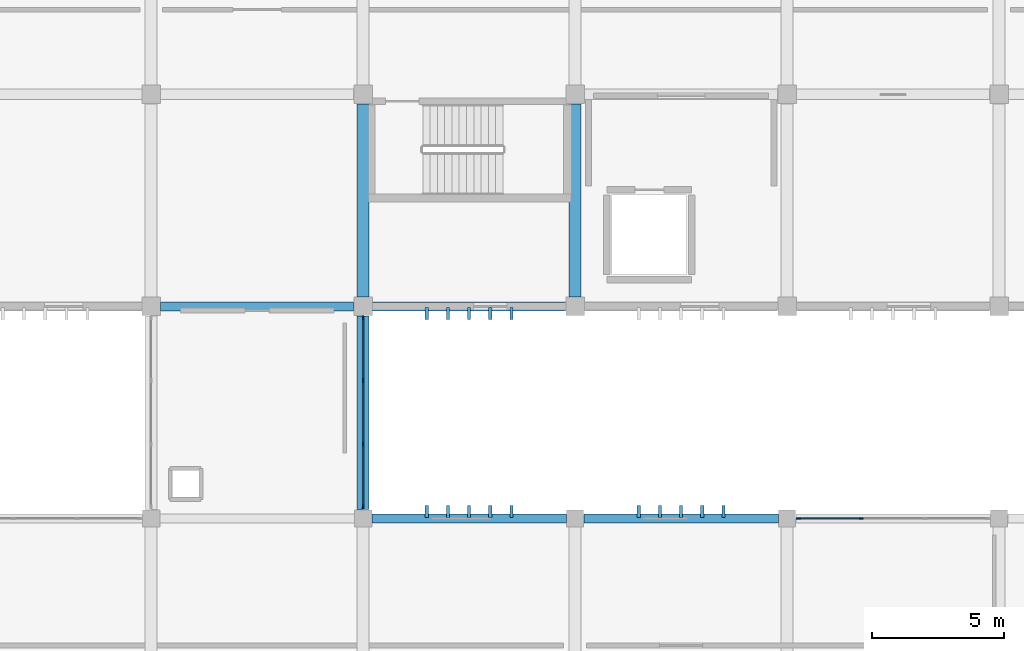
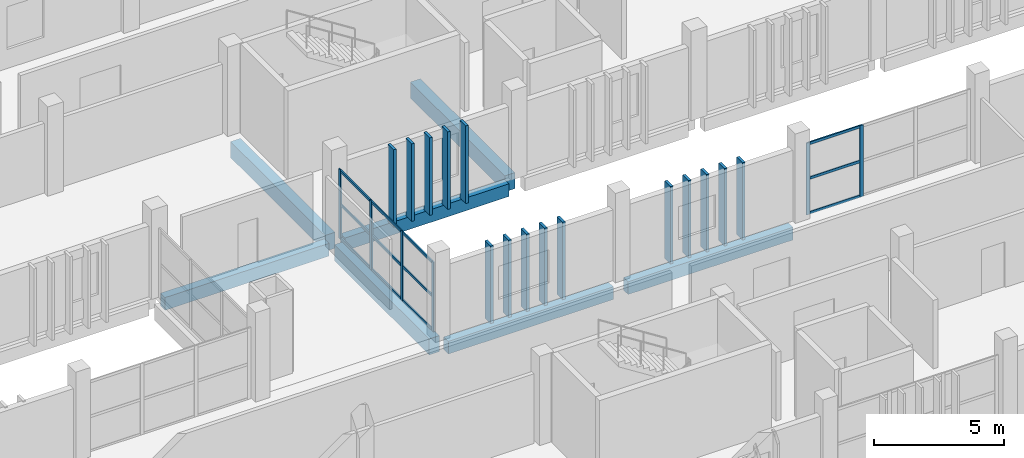
# One storey, part 27 of 137: 33 members, 7 beams, 2 elements without a shape of their own.
"""IFC4 building model written with IfcOpenShell, lengths in metres."""

from ifc_helpers import new_model, si_unit, direction, frame, origin, origin_2d, place, context, subcontext, project, spatial, rectangle, extrude, material, layer, layer_set, material_profile, profile_set, type_object, element, aggregate, save


model = new_model("IFC4")

# Units and contexts
model_context = context("Model", 3, precision=1e-05, world=origin(), true_north=direction((0.0, 1.0)))
body_context = subcontext(model_context, "Body", "Model", "MODEL_VIEW")
ifc_project = project(units=[si_unit("LENGTHUNIT", "METRE"), si_unit("AREAUNIT", "SQUARE_METRE"), si_unit("VOLUMEUNIT", "CUBIC_METRE"), si_unit("PLANEANGLEUNIT", "RADIAN"), si_unit("MASSUNIT", "GRAM", prefix="KILO")], contexts=[model_context])

# Site, building, storey
site_placement = place(None, origin())
site = spatial("IfcSite", under=ifc_project, at=site_placement, CompositionType="ELEMENT")
building_placement = place(site_placement, origin())
building = spatial("IfcBuilding", under=site, at=building_placement, Name="Jelvoka-Kovrelna Polytechnic", CompositionType="ELEMENT")
storey_placement = place(building_placement, frame((0.0, 0.0, 9.60009765625)))
storey = spatial("IfcBuildingStorey", under=building, at=storey_placement, Name="L03", CompositionType="ELEMENT", Elevation=9.60009765625)

# Beams
ifc_material_1 = material(Name="Concrete C40/50", Category="concrete")
ifc_material_profile_1 = material_profile(ifc_material_1, rectangle(XDim=0.449951171875, YDim=0.75, at=origin_2d()), Name="RC 450x750")
ifc_profile_set_1 = profile_set([ifc_material_profile_1], Name="Concrete C40/50")
beam_type_1 = type_object("IfcBeamType", Name="Beam_RC_450x750", PredefinedType="BEAM", material=ifc_profile_set_1)
for number, where, z_axis, x_axis, name in (
    (1, (80.0, 56.35498046875, -0.64013671875), (0.0, 1.0, 0.0), (-1.0, 0.0, 0.0), "L03 beam 1030"),
    (2, (88.0, 56.35498046875, -0.64013671875), (0.0, 1.0, 0.0), (-1.0, 0.0, 0.0), "L03 beam 1032"),
):
    element("IfcBeam", number, at=place(storey_placement, frame(where, z_axis=z_axis, x_axis=x_axis)), inside=storey, type_object=beam_type_1, Name=name, PredefinedType="BEAM", context=body_context, shape_type="SweptSolid", body=[
        extrude(rectangle(XDim=0.449951171875, YDim=0.75, at=origin_2d()), origin(), (0.0, 0.0, 1.0), 7.2900390625),
    ])
beam_placement = place(storey_placement, frame((80.0, 48.330078125, -0.64013671875), z_axis=(0.0, 1.0, 0.0), x_axis=(-1.0, 0.0, 0.0)))
element("IfcBeam", 3, at=beam_placement, inside=storey, type_object=beam_type_1, Name="L03 beam 1109", PredefinedType="BEAM", context=body_context, shape_type="SweptSolid", body=[
    extrude(rectangle(XDim=0.449951171875, YDim=0.75, at=origin_2d()), origin(), (0.0, 0.0, 1.0), 7.31494140625),
])

# Members
ifc_material_2 = material(Name="Precast concrete C40/50", Category="concrete")
ifc_material_profile_2 = material_profile(ifc_material_2, rectangle(XDim=0.1201171875, YDim=0.449951171875, at=origin_2d()), Name="PC 120x450")
ifc_profile_set_2 = profile_set([ifc_material_profile_2], Name="Precast concrete C40/50")
member_type_1 = type_object("IfcMemberType", Name="Louvre_Fin_120x450", PredefinedType="USERDEFINED", material=ifc_profile_set_2)
for number, where, z_axis, x_axis, name in (
    (4, (82.39990234375, 48.264892578125, -0.27001953125), (0.0, 0.0, 1.0), (1.0, 0.0, 0.0), "L03 B2W north vertical solar louvre fin 0671"),
    (5, (83.199951171875, 48.264892578125, -0.27001953125), (0.0, 0.0, 1.0), (1.0, 0.0, 0.0), "L03 B2W north vertical solar louvre fin 0672"),
    (6, (84.0, 48.264892578125, -0.27001953125), (0.0, 0.0, 1.0), (1.0, 0.0, 0.0), "L03 B2W north vertical solar louvre fin 0673"),
    (7, (84.800048828125, 48.264892578125, -0.27001953125), (0.0, 0.0, 1.0), (1.0, 0.0, 0.0), "L03 B2W north vertical solar louvre fin 0674"),
    (8, (85.60009765625, 48.264892578125, -0.27001953125), (0.0, 0.0, 1.0), (1.0, 0.0, 0.0), "L03 B2W north vertical solar louvre fin 0675"),
    (9, (90.39990234375, 48.264892578125, -0.27001953125), (0.0, 0.0, 1.0), (1.0, 0.0, 0.0), "L03 B2W north vertical solar louvre fin 0681"),
    (10, (91.199951171875, 48.264892578125, -0.27001953125), (0.0, 0.0, 1.0), (1.0, 0.0, 0.0), "L03 B2W north vertical solar louvre fin 0682"),
    (11, (92.0, 48.264892578125, -0.27001953125), (0.0, 0.0, 1.0), (1.0, 0.0, 0.0), "L03 B2W north vertical solar louvre fin 0683"),
    (12, (92.800048828125, 48.264892578125, -0.27001953125), (0.0, 0.0, 1.0), (1.0, 0.0, 0.0), "L03 B2W north vertical solar louvre fin 0684"),
    (13, (93.60009765625, 48.264892578125, -0.27001953125), (0.0, 0.0, 1.0), (1.0, 0.0, 0.0), "L03 B2W north vertical solar louvre fin 0685"),
    (14, (82.39990234375, 55.735107421875, -0.27001953125), (0.0, 0.0, 1.0), (1.0, 0.0, 0.0), "L03 B3 south vertical solar louvre fin 1486"),
    (15, (83.199951171875, 55.735107421875, -0.27001953125), (0.0, 0.0, 1.0), (1.0, 0.0, 0.0), "L03 B3 south vertical solar louvre fin 1487"),
    (16, (84.0, 55.735107421875, -0.27001953125), (0.0, 0.0, 1.0), (1.0, 0.0, 0.0), "L03 B3 south vertical solar louvre fin 1488"),
    (17, (84.800048828125, 55.735107421875, -0.27001953125), (0.0, 0.0, 1.0), (1.0, 0.0, 0.0), "L03 B3 south vertical solar louvre fin 1489"),
    (18, (85.60009765625, 55.735107421875, -0.27001953125), (0.0, 0.0, 1.0), (1.0, 0.0, 0.0), "L03 B3 south vertical solar louvre fin 1490"),
):
    element("IfcMember", number, at=place(storey_placement, frame(where, z_axis=z_axis, x_axis=x_axis)), inside=storey, type_object=member_type_1, Name=name, ObjectType="SUNSHADE", PredefinedType="USERDEFINED", context=body_context, shape_type="SweptSolid", body=[
        extrude(rectangle(XDim=0.1201171875, YDim=0.449951171875, at=origin_2d()), origin(), (0.0, 0.0, 1.0), 3.64501953125),
    ])

# Curtain wall, members
ifc_material_3 = material(Name="Anodised aluminium 6063-T6", Category="aluminium")
ifc_layer_1 = layer(ifc_material_3, 0.159912109375)
ifc_layer_set_1 = layer_set([ifc_layer_1], Name="Anodised aluminium 6063-T6")
curtain_wall_type_1 = type_object("IfcCurtainWallType", Name="CW_Recessed_A", PredefinedType="NOTDEFINED", material=ifc_layer_set_1)
curtain_wall_1_placement = place(storey_placement, origin())
curtain_wall_1 = element("IfcCurtainWall", 19, at=curtain_wall_1_placement, inside=storey, type_object=curtain_wall_type_1, Name="L03 glazed curtain wall 024", PredefinedType="NOTDEFINED")
ifc_material_4 = material(Name="Anodised aluminium 6063-T6", Category="aluminium")
ifc_material_profile_3 = material_profile(ifc_material_4, rectangle(XDim=0.06005859375, YDim=0.159912109375, at=origin_2d()), Name="ALU 60x160")
ifc_profile_set_3 = profile_set([ifc_material_profile_3], Name="Anodised aluminium 6063-T6")
member_type_2 = type_object("IfcMemberType", Name="Mullion_M-01", PredefinedType="MULLION", material=ifc_profile_set_3)
member_1_placement = place(storey_placement, frame((96.429931640625, 48.0, -0.02490234375), z_axis=(0.0, 0.0, 1.0), x_axis=(0.0, 1.0, 0.0)))
member_1 = element("IfcMember", 20, at=member_1_placement, type_object=member_type_2, Name="CW-01 mullion 1", PredefinedType="MULLION", context=body_context, shape_type="SweptSolid", body=[
    extrude(rectangle(XDim=0.06005859375, YDim=0.159912109375, at=origin_2d()), origin(), (0.0, 0.0, 1.0), 3.375),
])
member_2_placement = place(storey_placement, frame((98.800048828125, 48.0, -0.02490234375), z_axis=(0.0, 0.0, 1.0), x_axis=(0.0, 1.0, 0.0)))
member_2 = element("IfcMember", 21, at=member_2_placement, type_object=member_type_2, Name="CW-01 mullion 2", PredefinedType="MULLION", context=body_context, shape_type="SweptSolid", body=[
    extrude(rectangle(XDim=0.06005859375, YDim=0.159912109375, at=origin_2d()), origin(), (0.0, 0.0, 1.0), 3.375),
])

ifc_material_5 = material(Name="Anodised aluminium 6063-T6", Category="aluminium")
ifc_layer_2 = layer(ifc_material_5, 0.159912109375)
ifc_layer_set_2 = layer_set([ifc_layer_2], Name="Anodised aluminium 6063-T6")
curtain_wall_type_2 = type_object("IfcCurtainWallType", Name="CW_LinkBridge", PredefinedType="NOTDEFINED", material=ifc_layer_set_2)
curtain_wall_2_placement = place(storey_placement, origin())
curtain_wall_2 = element("IfcCurtainWall", 22, at=curtain_wall_2_placement, inside=storey, type_object=curtain_wall_type_2, Name="L03 glazed curtain wall 123", PredefinedType="NOTDEFINED")
ifc_material_6 = material(Name="Anodised aluminium 6063-T6", Category="aluminium")
ifc_material_profile_4 = material_profile(ifc_material_6, rectangle(XDim=0.06005859375, YDim=0.159912109375, at=origin_2d()), Name="ALU 60x160")
ifc_profile_set_4 = profile_set([ifc_material_profile_4], Name="Anodised aluminium 6063-T6")
member_type_3 = type_object("IfcMemberType", Name="Mullion_M-04", PredefinedType="MULLION", material=ifc_profile_set_4)
member_3_placement = place(storey_placement, frame((80.0, 55.570068359375, -0.02490234375), z_axis=(0.0, 0.0, 1.0), x_axis=(1.0, 0.0, 0.0)))
member_3 = element("IfcMember", 23, at=member_3_placement, type_object=member_type_3, Name="CW-04 mullion 1", PredefinedType="MULLION", context=body_context, shape_type="SweptSolid", body=[
    extrude(rectangle(XDim=0.06005859375, YDim=0.159912109375, at=origin_2d()), origin(), (0.0, 0.0, 1.0), 3.27490234375),
])
member_4_placement = place(storey_placement, frame((80.0, 53.199951171875, -0.02490234375), z_axis=(0.0, 0.0, 1.0), x_axis=(1.0, 0.0, 0.0)))
member_4 = element("IfcMember", 24, at=member_4_placement, type_object=member_type_3, Name="CW-04 mullion 2", PredefinedType="MULLION", context=body_context, shape_type="SweptSolid", body=[
    extrude(rectangle(XDim=0.06005859375, YDim=0.159912109375, at=origin_2d()), origin(), (0.0, 0.0, 1.0), 3.27490234375),
])
member_5_placement = place(storey_placement, frame((80.0, 50.800048828125, -0.02490234375), z_axis=(0.0, 0.0, 1.0), x_axis=(1.0, 0.0, 0.0)))
member_5 = element("IfcMember", 25, at=member_5_placement, type_object=member_type_3, Name="CW-04 mullion 3", PredefinedType="MULLION", context=body_context, shape_type="SweptSolid", body=[
    extrude(rectangle(XDim=0.06005859375, YDim=0.159912109375, at=origin_2d()), origin(), (0.0, 0.0, 1.0), 3.27490234375),
])
member_6_placement = place(storey_placement, frame((80.0, 48.429931640625, -0.02490234375), z_axis=(0.0, 0.0, 1.0), x_axis=(1.0, 0.0, 0.0)))
member_6 = element("IfcMember", 26, at=member_6_placement, type_object=member_type_3, Name="CW-04 mullion 4", PredefinedType="MULLION", context=body_context, shape_type="SweptSolid", body=[
    extrude(rectangle(XDim=0.06005859375, YDim=0.159912109375, at=origin_2d()), origin(), (0.0, 0.0, 1.0), 3.27490234375),
])

# Beams
ifc_material_7 = material(Name="Concrete C40/50", Category="concrete")
ifc_material_profile_5 = material_profile(ifc_material_7, rectangle(XDim=0.35009765625, YDim=0.60009765625, at=origin_2d()), Name="RC 350x600")
ifc_profile_set_5 = profile_set([ifc_material_profile_5], Name="Concrete C40/50")
beam_type_2 = type_object("IfcBeamType", Name="Spandrel_RC_350x600", PredefinedType="SPANDREL", material=ifc_profile_set_5)
for number, where, z_axis, x_axis, name in (
    (27, (80.330078125, 48.0, -0.565185546875), (1.0, 0.0, 0.0), (0.0, 1.0, 0.0), "L03 beam 0943"),
    (28, (88.330078125, 48.0, -0.565185546875), (1.0, 0.0, 0.0), (0.0, 1.0, 0.0), "L03 beam 0944"),
):
    element("IfcBeam", number, at=place(storey_placement, frame(where, z_axis=z_axis, x_axis=x_axis)), inside=storey, type_object=beam_type_2, Name=name, PredefinedType="SPANDREL", context=body_context, shape_type="SweptSolid", body=[
        extrude(rectangle(XDim=0.35009765625, YDim=0.60009765625, at=origin_2d()), origin(), (0.0, 0.0, 1.0), 7.33984375),
    ])
for number, where, z_axis, x_axis, name in (
    (29, (72.35498046875, 56.0, -0.565185546875), (1.0, 0.0, 0.0), (0.0, 1.0, 0.0), "L03 beam 1006"),
    (30, (80.35498046875, 56.0, -0.565185546875), (1.0, 0.0, 0.0), (0.0, 1.0, 0.0), "L03 beam 1007"),
):
    element("IfcBeam", number, at=place(storey_placement, frame(where, z_axis=z_axis, x_axis=x_axis)), inside=storey, type_object=beam_type_2, Name=name, PredefinedType="SPANDREL", context=body_context, shape_type="SweptSolid", body=[
        extrude(rectangle(XDim=0.35009765625, YDim=0.60009765625, at=origin_2d()), origin(), (0.0, 0.0, 1.0), 7.2900390625),
    ])

# Member
ifc_material_8 = material(Name="Anodised aluminium 6063-T6", Category="aluminium")
ifc_material_profile_6 = material_profile(ifc_material_8, rectangle(XDim=0.06005859375, YDim=0.1201171875, at=origin_2d()), Name="ALU 60x120")
ifc_profile_set_6 = profile_set([ifc_material_profile_6], Name="Anodised aluminium 6063-T6")
member_type_4 = type_object("IfcMemberType", Name="Transom_T-01", PredefinedType="USERDEFINED", material=ifc_profile_set_6)
member_7_placement = place(storey_placement, frame((96.4599609375, 48.0, 0.02978515625), z_axis=(1.0, 0.0, 0.0), x_axis=(0.0, 1.0, 0.0)))
member_7 = element("IfcMember", 31, at=member_7_placement, type_object=member_type_4, Name="CW-01 transom 1.1", ObjectType="TRANSOM", PredefinedType="USERDEFINED", context=body_context, shape_type="SweptSolid", body=[
    extrude(rectangle(XDim=0.06005859375, YDim=0.1201171875, at=origin_2d()), origin(), (0.0, 0.0, 1.0), 2.31005859375),
])

member_8_placement = place(storey_placement, frame((96.4599609375, 48.0, 1.662353515625), z_axis=(1.0, 0.0, 0.0), x_axis=(0.0, 1.0, 0.0)))
member_8 = element("IfcMember", 32, at=member_8_placement, type_object=member_type_4, Name="CW-01 transom 1.2", ObjectType="TRANSOM", PredefinedType="USERDEFINED", context=body_context, shape_type="SweptSolid", body=[
    extrude(rectangle(XDim=0.06005859375, YDim=0.1201171875, at=origin_2d()), origin(), (0.0, 0.0, 1.0), 2.31005859375),
])

member_9_placement = place(storey_placement, frame((96.4599609375, 48.0, 3.294921875), z_axis=(1.0, 0.0, 0.0), x_axis=(0.0, 1.0, 0.0)))
member_9 = element("IfcMember", 33, at=member_9_placement, type_object=member_type_4, Name="CW-01 transom 1.3", ObjectType="TRANSOM", PredefinedType="USERDEFINED", context=body_context, shape_type="SweptSolid", body=[
    extrude(rectangle(XDim=0.06005859375, YDim=0.1201171875, at=origin_2d()), origin(), (0.0, 0.0, 1.0), 2.31005859375),
])

aggregate(curtain_wall_1, [member_1, member_2, member_7, member_8, member_9])

ifc_material_9 = material(Name="Anodised aluminium 6063-T6", Category="aluminium")
ifc_material_profile_7 = material_profile(ifc_material_9, rectangle(XDim=0.06005859375, YDim=0.1201171875, at=origin_2d()), Name="ALU 60x120")
ifc_profile_set_7 = profile_set([ifc_material_profile_7], Name="Anodised aluminium 6063-T6")
member_type_5 = type_object("IfcMemberType", Name="Transom_T-04", PredefinedType="USERDEFINED", material=ifc_profile_set_7)
member_10_placement = place(storey_placement, frame((80.0, 55.5400390625, 0.02978515625), z_axis=(0.0, -1.0, 0.0), x_axis=(1.0, 0.0, 0.0)))
member_10 = element("IfcMember", 34, at=member_10_placement, type_object=member_type_5, Name="CW-04 transom 1.1", ObjectType="TRANSOM", PredefinedType="USERDEFINED", context=body_context, shape_type="SweptSolid", body=[
    extrude(rectangle(XDim=0.06005859375, YDim=0.1201171875, at=origin_2d()), origin(), (0.0, 0.0, 1.0), 2.31005859375),
])

member_11_placement = place(storey_placement, frame((80.0, 55.5400390625, 1.6123046875), z_axis=(0.0, -1.0, 0.0), x_axis=(1.0, 0.0, 0.0)))
member_11 = element("IfcMember", 35, at=member_11_placement, type_object=member_type_5, Name="CW-04 transom 1.2", ObjectType="TRANSOM", PredefinedType="USERDEFINED", context=body_context, shape_type="SweptSolid", body=[
    extrude(rectangle(XDim=0.06005859375, YDim=0.1201171875, at=origin_2d()), origin(), (0.0, 0.0, 1.0), 2.31005859375),
])

member_12_placement = place(storey_placement, frame((80.0, 55.5400390625, 3.19482421875), z_axis=(0.0, -1.0, 0.0), x_axis=(1.0, 0.0, 0.0)))
member_12 = element("IfcMember", 36, at=member_12_placement, type_object=member_type_5, Name="CW-04 transom 1.3", ObjectType="TRANSOM", PredefinedType="USERDEFINED", context=body_context, shape_type="SweptSolid", body=[
    extrude(rectangle(XDim=0.06005859375, YDim=0.1201171875, at=origin_2d()), origin(), (0.0, 0.0, 1.0), 2.31005859375),
])

member_13_placement = place(storey_placement, frame((80.0, 53.169921875, 0.02978515625), z_axis=(0.0, -1.0, 0.0), x_axis=(1.0, 0.0, 0.0)))
member_13 = element("IfcMember", 37, at=member_13_placement, type_object=member_type_5, Name="CW-04 transom 2.1", ObjectType="TRANSOM", PredefinedType="USERDEFINED", context=body_context, shape_type="SweptSolid", body=[
    extrude(rectangle(XDim=0.06005859375, YDim=0.1201171875, at=origin_2d()), origin(), (0.0, 0.0, 1.0), 2.33984375),
])

member_14_placement = place(storey_placement, frame((80.0, 53.169921875, 1.6123046875), z_axis=(0.0, -1.0, 0.0), x_axis=(1.0, 0.0, 0.0)))
member_14 = element("IfcMember", 38, at=member_14_placement, type_object=member_type_5, Name="CW-04 transom 2.2", ObjectType="TRANSOM", PredefinedType="USERDEFINED", context=body_context, shape_type="SweptSolid", body=[
    extrude(rectangle(XDim=0.06005859375, YDim=0.1201171875, at=origin_2d()), origin(), (0.0, 0.0, 1.0), 2.33984375),
])

member_15_placement = place(storey_placement, frame((80.0, 53.169921875, 3.19482421875), z_axis=(0.0, -1.0, 0.0), x_axis=(1.0, 0.0, 0.0)))
member_15 = element("IfcMember", 39, at=member_15_placement, type_object=member_type_5, Name="CW-04 transom 2.3", ObjectType="TRANSOM", PredefinedType="USERDEFINED", context=body_context, shape_type="SweptSolid", body=[
    extrude(rectangle(XDim=0.06005859375, YDim=0.1201171875, at=origin_2d()), origin(), (0.0, 0.0, 1.0), 2.33984375),
])

member_16_placement = place(storey_placement, frame((80.0, 50.77001953125, 0.02978515625), z_axis=(0.0, -1.0, 0.0), x_axis=(1.0, 0.0, 0.0)))
member_16 = element("IfcMember", 40, at=member_16_placement, type_object=member_type_5, Name="CW-04 transom 3.1", ObjectType="TRANSOM", PredefinedType="USERDEFINED", context=body_context, shape_type="SweptSolid", body=[
    extrude(rectangle(XDim=0.06005859375, YDim=0.1201171875, at=origin_2d()), origin(), (0.0, 0.0, 1.0), 2.31005859375),
])

member_17_placement = place(storey_placement, frame((80.0, 50.77001953125, 1.6123046875), z_axis=(0.0, -1.0, 0.0), x_axis=(1.0, 0.0, 0.0)))
member_17 = element("IfcMember", 41, at=member_17_placement, type_object=member_type_5, Name="CW-04 transom 3.2", ObjectType="TRANSOM", PredefinedType="USERDEFINED", context=body_context, shape_type="SweptSolid", body=[
    extrude(rectangle(XDim=0.06005859375, YDim=0.1201171875, at=origin_2d()), origin(), (0.0, 0.0, 1.0), 2.31005859375),
])

member_18_placement = place(storey_placement, frame((80.0, 50.77001953125, 3.19482421875), z_axis=(0.0, -1.0, 0.0), x_axis=(1.0, 0.0, 0.0)))
member_18 = element("IfcMember", 42, at=member_18_placement, type_object=member_type_5, Name="CW-04 transom 3.3", ObjectType="TRANSOM", PredefinedType="USERDEFINED", context=body_context, shape_type="SweptSolid", body=[
    extrude(rectangle(XDim=0.06005859375, YDim=0.1201171875, at=origin_2d()), origin(), (0.0, 0.0, 1.0), 2.31005859375),
])

aggregate(curtain_wall_2, [member_3, member_4, member_5, member_6, member_10, member_11, member_12, member_13, member_14, member_15, member_16, member_17, member_18])

save(model, "model.ifc")
